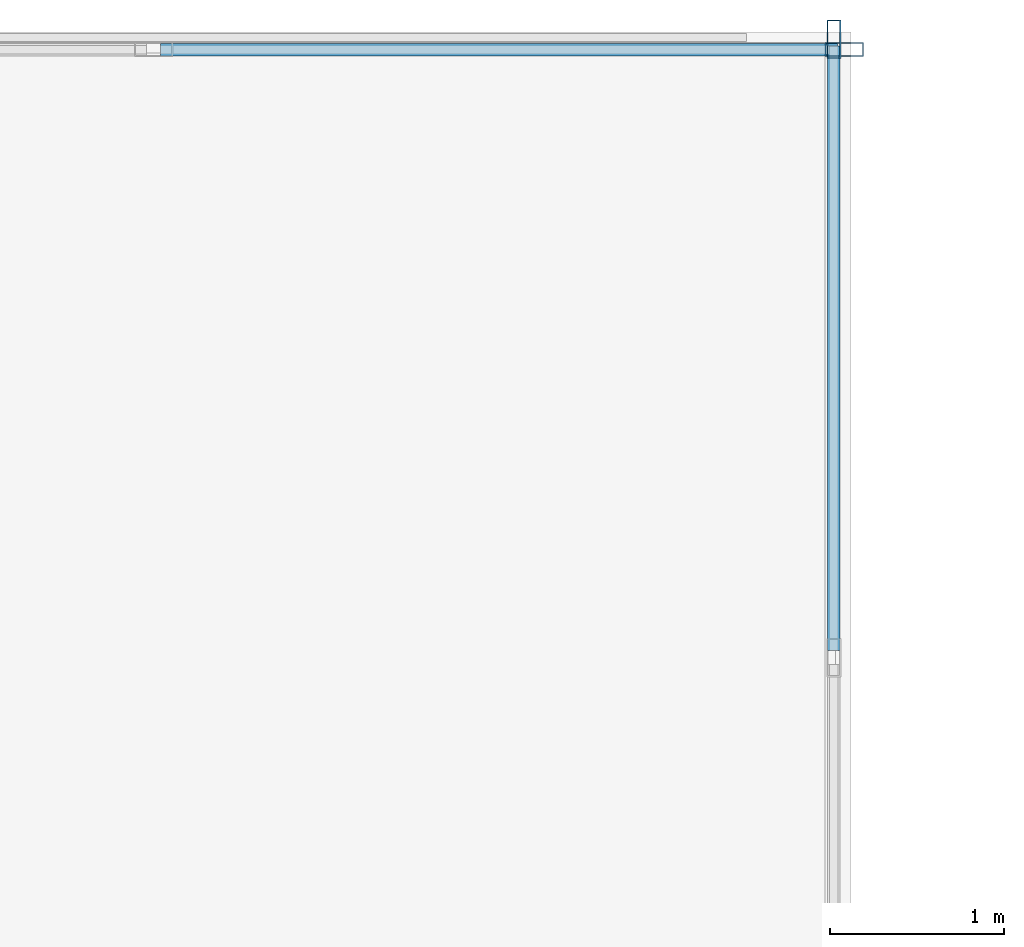
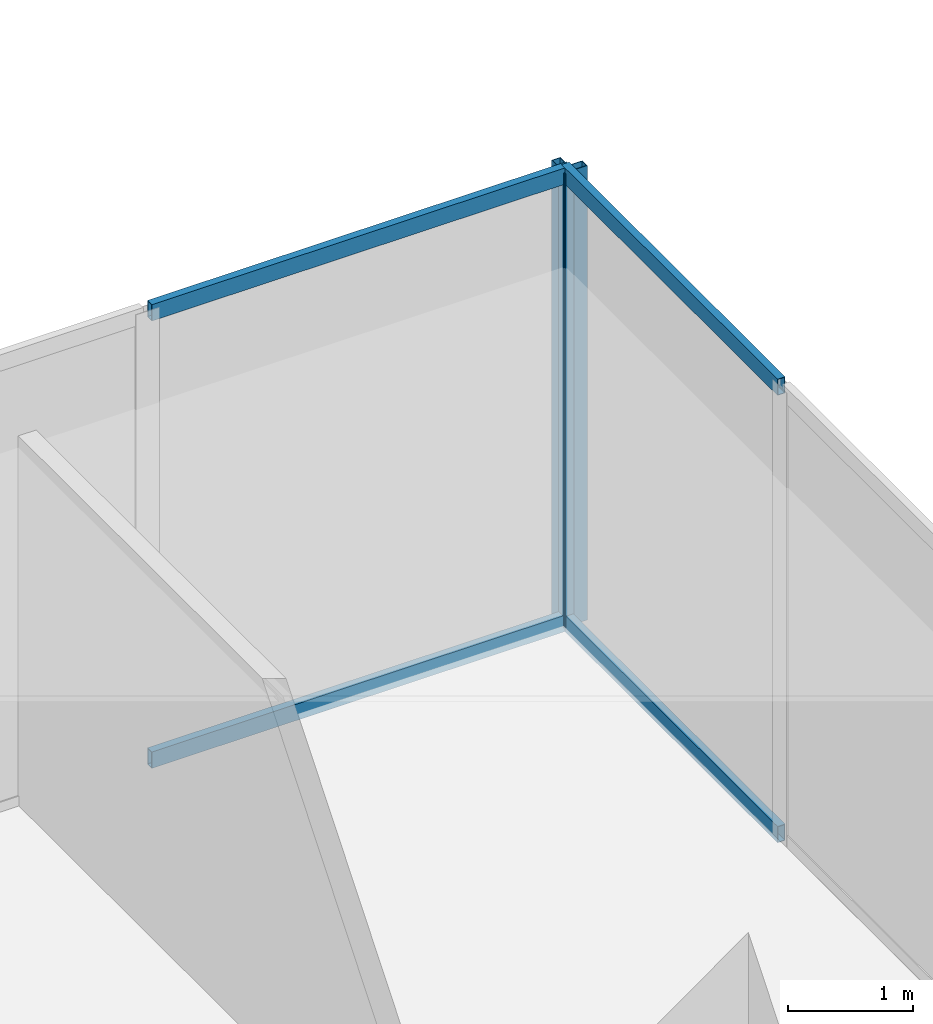
# One storey, part 19 of 39: 6 members, 2 elements without a shape of their own.
"""IFC4 building model written with IfcOpenShell, lengths in metres."""

from ifc_helpers import new_model, si_unit, direction, frame, origin, origin_2d, place, context, subcontext, project, spatial, hollow_rectangle, extrude, source, transform, mapped, material, layer, layer_set, material_profile, profile_set, type_object, type_shapes, element, aggregate, save


model = new_model("IFC4")

# Units and contexts
model_context = context("Model", 3, precision=1e-05, world=origin(), true_north=direction((0.0, 1.0)))
body_context = subcontext(model_context, "Body", "Model", "MODEL_VIEW")
ifc_project = project(units=[si_unit("LENGTHUNIT", "METRE"), si_unit("AREAUNIT", "SQUARE_METRE"), si_unit("VOLUMEUNIT", "CUBIC_METRE"), si_unit("PLANEANGLEUNIT", "RADIAN"), si_unit("MASSUNIT", "GRAM", prefix="KILO")], contexts=[model_context])

# Site, building, storey
site_placement = place(None, origin())
site = spatial("IfcSite", under=ifc_project, at=site_placement, CompositionType="ELEMENT")
building_placement = place(site_placement, origin())
building = spatial("IfcBuilding", under=site, at=building_placement, Name="Haelvirn Gate Laboratories", CompositionType="ELEMENT")
storey_placement = place(building_placement, frame((0.0, 0.0, 15.0)))
storey = spatial("IfcBuildingStorey", under=building, at=storey_placement, Name="L04", CompositionType="ELEMENT", Elevation=15.0)

# Curtain wall, members
ifc_material_1 = material(Name="Anodised bronze unitised aluminium & triple low-E glass", Category="aluminium")
ifc_layer = layer(ifc_material_1, 0.18798828125, Name="CW-SYS-1")
ifc_layer_set = layer_set([ifc_layer], Name="Anodised bronze unitised aluminium & triple low-E glass")
curtain_wall_type = type_object("IfcCurtainWallType", Name="CW-SYS-1", PredefinedType="NOTDEFINED", material=ifc_layer_set)
curtain_wall_1_placement = place(storey_placement, origin())
curtain_wall_1 = element("IfcCurtainWall", 1, at=curtain_wall_1_placement, inside=storey, type_object=curtain_wall_type, Name="L04 Unitised Curtain Wall CW-L04-P0-E01", PredefinedType="NOTDEFINED")
ifc_material_2 = material(Name="Extruded aluminium 6063-T6 (anodised bronze)", Category="aluminium")
ifc_material_profile_1 = material_profile(ifc_material_2, hollow_rectangle(XDim=0.070068359375, YDim=0.159912109375, WallThickness=0.0048828125, at=origin_2d()), Name="CWT-160x70x5")
ifc_profile_set_1 = profile_set([ifc_material_profile_1], Name="Extruded aluminium 6063-T6 (anodised bronze)")
member_type_1 = type_object("IfcMemberType", Name="CWT-T160", PredefinedType="USERDEFINED", material=ifc_profile_set_1)
shared_shape_1 = source(origin(), body_context, "Body", "SweptSolid", [
    extrude(hollow_rectangle(XDim=0.070068359375, YDim=0.159912109375, WallThickness=0.0048828125, at=origin_2d()), origin(), (0.0, 0.0, 1.0), 3.4658203125),
])
member_1_placement = place(storey_placement, frame((25.300048828125, 45.854248046875, 0.034912109375), z_axis=(0.0, 1.0, 0.0), x_axis=(-1.0, 0.0, 0.0)))
member_1 = element("IfcMember", 2, at=member_1_placement, type_object=member_type_1, Name="CW1 transom 14.1", ObjectType="TRANSOM", PredefinedType="USERDEFINED", context=body_context, shape_type="MappedRepresentation", body=[
    mapped(shared_shape_1, transform((0.0, 0.0, 0.0), scale=1.0)),
])
member_2_placement = place(storey_placement, frame((25.300048828125, 45.854248046875, 4.4150390625), z_axis=(0.0, 1.0, 0.0), x_axis=(-1.0, 0.0, 0.0)))
member_2 = element("IfcMember", 3, at=member_2_placement, type_object=member_type_1, Name="CW1 transom 14.2", ObjectType="TRANSOM", PredefinedType="USERDEFINED", context=body_context, shape_type="MappedRepresentation", body=[
    mapped(shared_shape_1, transform((0.0, 0.0, 0.0), scale=1.0)),
])

curtain_wall_2_placement = place(storey_placement, origin())
curtain_wall_2 = element("IfcCurtainWall", 4, at=curtain_wall_2_placement, inside=storey, type_object=curtain_wall_type, Name="L04 Unitised Curtain Wall CW-L04-P0-E02-1", PredefinedType="NOTDEFINED")
shared_shape_2 = source(origin(), body_context, "Body", "SweptSolid", [
    extrude(hollow_rectangle(XDim=0.070068359375, YDim=0.159912109375, WallThickness=0.0048828125, at=origin_2d()), origin(), (0.0, 0.0, 1.0), 3.880126953125),
])
type_shapes(member_type_1, [shared_shape_1, shared_shape_2])
member_3_placement = place(storey_placement, frame((21.43994140625, 49.300048828125, 0.034912109375), z_axis=(1.0, 0.0, 0.0), x_axis=(0.0, 1.0, 0.0)))
member_3 = element("IfcMember", 5, at=member_3_placement, type_object=member_type_1, Name="CW1 transom 6.1", ObjectType="TRANSOM", PredefinedType="USERDEFINED", context=body_context, shape_type="MappedRepresentation", body=[
    mapped(shared_shape_2, transform((0.0, 0.0, 0.0), scale=1.0)),
])
member_4_placement = place(storey_placement, frame((21.43994140625, 49.300048828125, 4.4150390625), z_axis=(1.0, 0.0, 0.0), x_axis=(0.0, 1.0, 0.0)))
member_4 = element("IfcMember", 6, at=member_4_placement, type_object=member_type_1, Name="CW1 transom 6.2", ObjectType="TRANSOM", PredefinedType="USERDEFINED", context=body_context, shape_type="MappedRepresentation", body=[
    mapped(shared_shape_2, transform((0.0, 0.0, 0.0), scale=1.0)),
])

# Member
ifc_material_profile_2 = material_profile(ifc_material_2, hollow_rectangle(XDim=0.080078125, YDim=0.219970703125, WallThickness=0.006103515625, at=origin_2d()), Name="CWM-220x80x6")
ifc_profile_set_2 = profile_set([ifc_material_profile_2], Name="Extruded aluminium 6063-T6 (anodised bronze)")
member_type_2 = type_object("IfcMemberType", Name="CWM-T220", PredefinedType="MULLION", material=ifc_profile_set_2)
shared_shape_3 = source(origin(), body_context, "Body", "SweptSolid", [
    extrude(hollow_rectangle(XDim=0.080078125, YDim=0.219970703125, WallThickness=0.006103515625, at=origin_2d()), origin(), (0.0, 0.0, 1.0), 4.449951171875),
])
type_shapes(member_type_2, [shared_shape_3])
member_5_placement = place(storey_placement, frame((25.300048828125, 49.360107421875, 0.0), z_axis=(0.0, 0.0, 1.0), x_axis=(-1.0, 0.0, 0.0)))
member_5 = element("IfcMember", 7, at=member_5_placement, type_object=member_type_2, Name="CW1 mullion 15", PredefinedType="MULLION", context=body_context, shape_type="MappedRepresentation", body=[
    mapped(shared_shape_3, transform((0.0, 0.0, 0.0), scale=1.0)),
])

aggregate(curtain_wall_1, [member_5, member_1, member_2])

member_6_placement = place(storey_placement, frame((25.360107421875, 49.300048828125, 0.0), z_axis=(0.0, 0.0, 1.0), x_axis=(0.0, 1.0, 0.0)))
member_6 = element("IfcMember", 8, at=member_6_placement, type_object=member_type_2, Name="CW1 mullion 7", PredefinedType="MULLION", context=body_context, shape_type="MappedRepresentation", body=[
    mapped(shared_shape_3, transform((0.0, 0.0, 0.0), scale=1.0)),
])

aggregate(curtain_wall_2, [member_6, member_3, member_4])

save(model, "model.ifc")
